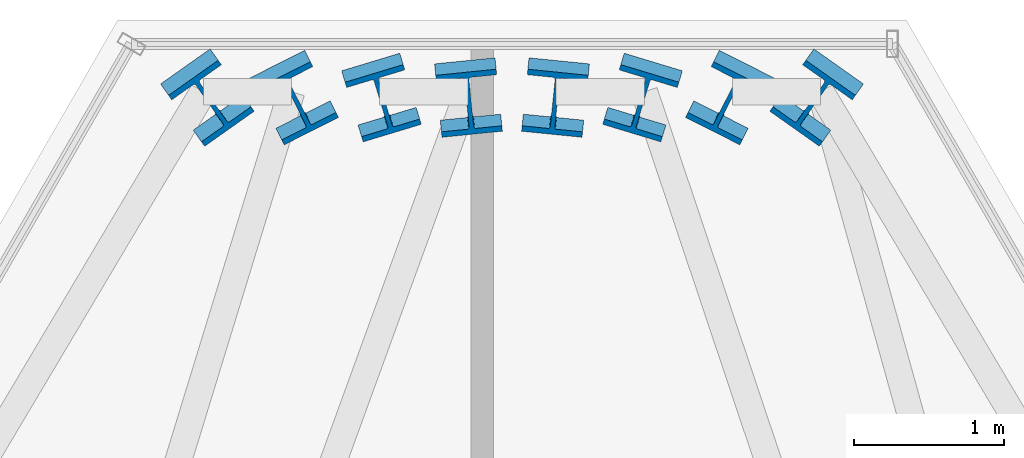
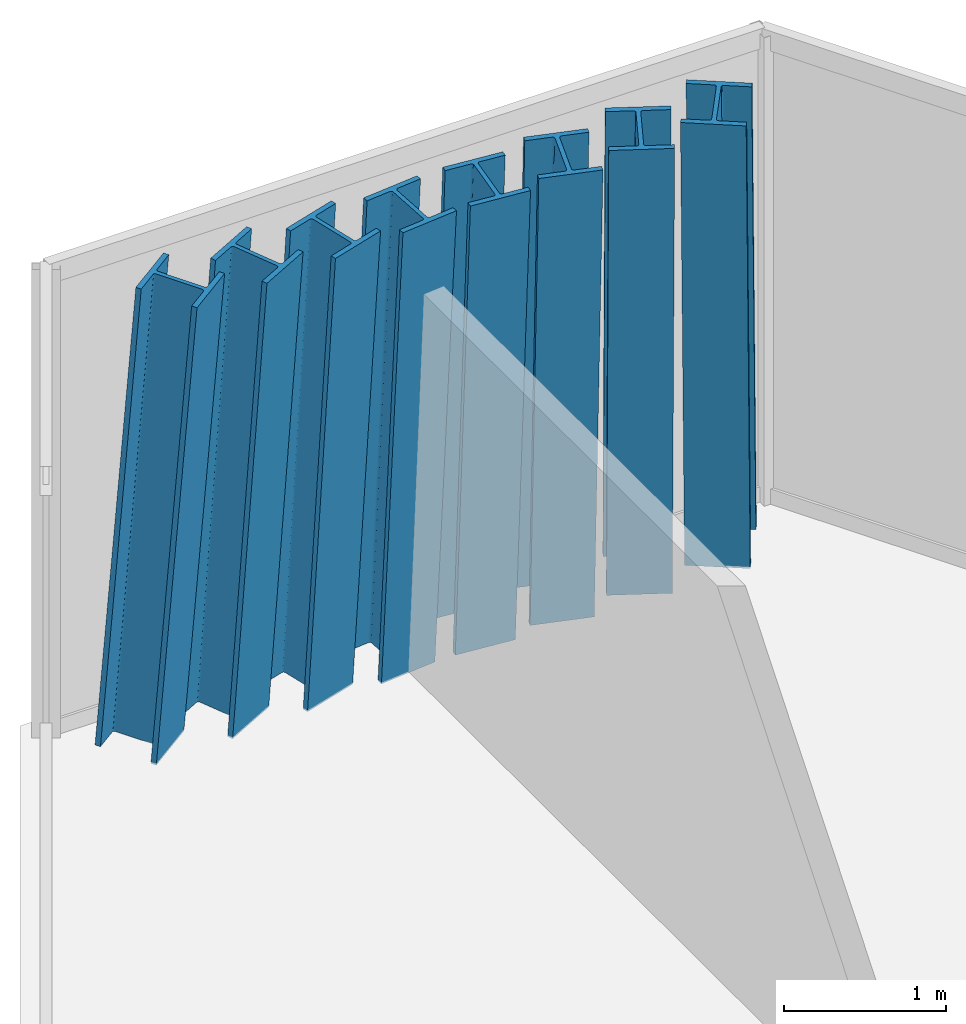
# One storey, part 2 of 35: 8 columns.
"""IFC4 building model written with IfcOpenShell, lengths in metres."""

from ifc_helpers import new_model, si_unit, direction, frame, origin, origin_2d, place, context, subcontext, project, spatial, i_section, extrude, material, material_profile, profile_set, type_object, element, save


model = new_model("IFC4")

# Units and contexts
model_context = context("Model", 3, precision=1e-05, world=origin(), true_north=direction((0.0, 1.0)))
body_context = subcontext(model_context, "Body", "Model", "MODEL_VIEW")
ifc_project = project(units=[si_unit("LENGTHUNIT", "METRE"), si_unit("AREAUNIT", "SQUARE_METRE"), si_unit("VOLUMEUNIT", "CUBIC_METRE"), si_unit("PLANEANGLEUNIT", "RADIAN"), si_unit("MASSUNIT", "GRAM", prefix="KILO")], contexts=[model_context])

# Site, building, storey
site_placement = place(None, origin())
site = spatial("IfcSite", under=ifc_project, at=site_placement, CompositionType="ELEMENT")
building_placement = place(site_placement, origin())
building = spatial("IfcBuilding", under=site, at=building_placement, Name="Ndaravel Arena Tower", CompositionType="ELEMENT")
storey_placement = place(building_placement, frame((0.0, 0.0, 275.0)))
storey = spatial("IfcBuildingStorey", under=building, at=storey_placement, Name="L67", CompositionType="ELEMENT", Elevation=275.0)

# Columns
ifc_material = material(Name="Steel S355", Category="steel")
ifc_material_profile = material_profile(ifc_material, i_section(OverallWidth=0.406005859375, OverallDepth=0.416015625, WebThickness=0.02978515625, FlangeThickness=0.03662109375, FilletRadius=0.014892578125, at=origin_2d()), Name="HD 400x382")
ifc_profile_set = profile_set([ifc_material_profile], Name="Steel S355")
column_type = type_object("IfcColumnType", Name="COL-TUBE-HD382", PredefinedType="COLUMN", material=ifc_profile_set)
column_1_placement = place(storey_placement, frame((44.065185546875, 43.818115234375, 0.0), z_axis=(-0.045220596617, -0.063958794909, 0.996927464862), x_axis=(0.816527278318, -0.577306854076, 0.0)))
element("IfcColumn", 1, at=column_1_placement, inside=storey, type_object=column_type, Name="L67 Framed Tube Column TC-11", PredefinedType="COLUMN", context=body_context, shape_type="SweptSolid", body=[
    extrude(i_section(OverallWidth=0.406005859375, OverallDepth=0.416015625, WebThickness=0.02978515625, FlangeThickness=0.03662109375, FilletRadius=0.014892578125, at=origin_2d()), origin(), (0.0, 0.0, 1.0), 3.53076171875),
])
column_2_placement = place(storey_placement, frame((43.47509765625, 43.818115234375, 0.0), z_axis=(-0.032306741684, -0.063990869503, 0.997427412428), x_axis=(0.892683329991, -0.450684448763, 0.0)))
element("IfcColumn", 2, at=column_2_placement, inside=storey, type_object=column_type, Name="L67 Framed Tube Column TC-12", PredefinedType="COLUMN", context=body_context, shape_type="SweptSolid", body=[
    extrude(i_section(OverallWidth=0.406005859375, OverallDepth=0.416015625, WebThickness=0.02978515625, FlangeThickness=0.03662109375, FilletRadius=0.014892578125, at=origin_2d()), origin(), (0.0, 0.0, 1.0), 3.529052734375),
])
column_3_placement = place(storey_placement, frame((42.885009765625, 43.818115234375, 0.0), z_axis=(-0.019376687087, -0.064012269839, 0.997760980049), x_axis=(0.957111385316, -0.289720203123, 0.0)))
element("IfcColumn", 3, at=column_3_placement, inside=storey, type_object=column_type, Name="L67 Framed Tube Column TC-13", PredefinedType="COLUMN", context=body_context, shape_type="SweptSolid", body=[
    extrude(i_section(OverallWidth=0.406005859375, OverallDepth=0.416015625, WebThickness=0.02978515625, FlangeThickness=0.03662109375, FilletRadius=0.014892578125, at=origin_2d()), origin(), (0.0, 0.0, 1.0), 3.52783203125),
])
for number, where, z_axis, x_axis, name in (
    (4, (42.294921875, 43.818115234375, 0.0), (-0.00643690338, -0.064022963724, 0.997927665911), (0.994983797319, -0.100036208811, 0.0), "L67 Framed Tube Column TC-14"),
    (5, (41.705078125, 43.818115234375, 0.0), (0.00643690338, -0.064022963724, 0.997927665911), (0.994983797319, 0.100036208811, 0.0), "L67 Framed Tube Column TC-15"),
):
    element("IfcColumn", number, at=place(storey_placement, frame(where, z_axis=z_axis, x_axis=x_axis)), inside=storey, type_object=column_type, Name=name, PredefinedType="COLUMN", context=body_context, shape_type="SweptSolid", body=[
        extrude(i_section(OverallWidth=0.406005859375, OverallDepth=0.416015625, WebThickness=0.02978515625, FlangeThickness=0.03662109375, FilletRadius=0.014892578125, at=origin_2d()), origin(), (0.0, 0.0, 1.0), 3.52734375),
    ])
column_4_placement = place(storey_placement, frame((41.114990234375, 43.818115234375, 0.0), z_axis=(0.019376687087, -0.064012269839, 0.997760980049), x_axis=(0.957111385316, 0.289720203123, 0.0)))
element("IfcColumn", 6, at=column_4_placement, inside=storey, type_object=column_type, Name="L67 Framed Tube Column TC-16", PredefinedType="COLUMN", context=body_context, shape_type="SweptSolid", body=[
    extrude(i_section(OverallWidth=0.406005859375, OverallDepth=0.416015625, WebThickness=0.02978515625, FlangeThickness=0.03662109375, FilletRadius=0.014892578125, at=origin_2d()), origin(), (0.0, 0.0, 1.0), 3.52783203125),
])
column_5_placement = place(storey_placement, frame((40.52490234375, 43.818115234375, 0.0), z_axis=(0.032306741684, -0.063990869503, 0.997427412428), x_axis=(0.892683329991, 0.450684448763, 0.0)))
element("IfcColumn", 7, at=column_5_placement, inside=storey, type_object=column_type, Name="L67 Framed Tube Column TC-17", PredefinedType="COLUMN", context=body_context, shape_type="SweptSolid", body=[
    extrude(i_section(OverallWidth=0.406005859375, OverallDepth=0.416015625, WebThickness=0.02978515625, FlangeThickness=0.03662109375, FilletRadius=0.014892578125, at=origin_2d()), origin(), (0.0, 0.0, 1.0), 3.529052734375),
])
column_6_placement = place(storey_placement, frame((39.934814453125, 43.818115234375, 0.0), z_axis=(0.045220596617, -0.063958794909, 0.996927464862), x_axis=(0.816527278318, 0.577306854076, 0.0)))
element("IfcColumn", 8, at=column_6_placement, inside=storey, type_object=column_type, Name="L67 Framed Tube Column TC-18", PredefinedType="COLUMN", context=body_context, shape_type="SweptSolid", body=[
    extrude(i_section(OverallWidth=0.406005859375, OverallDepth=0.416015625, WebThickness=0.02978515625, FlangeThickness=0.03662109375, FilletRadius=0.014892578125, at=origin_2d()), origin(), (0.0, 0.0, 1.0), 3.53076171875),
])

save(model, "model.ifc")
